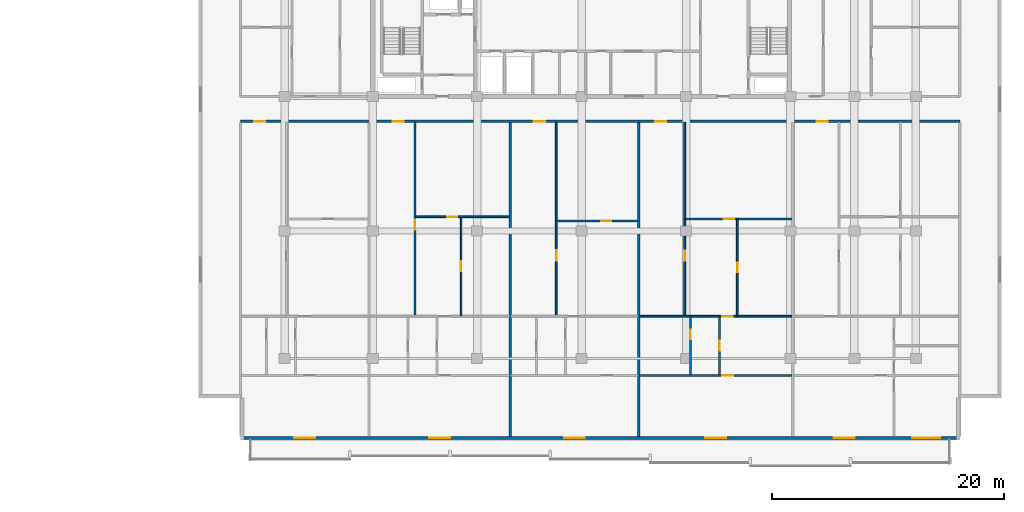
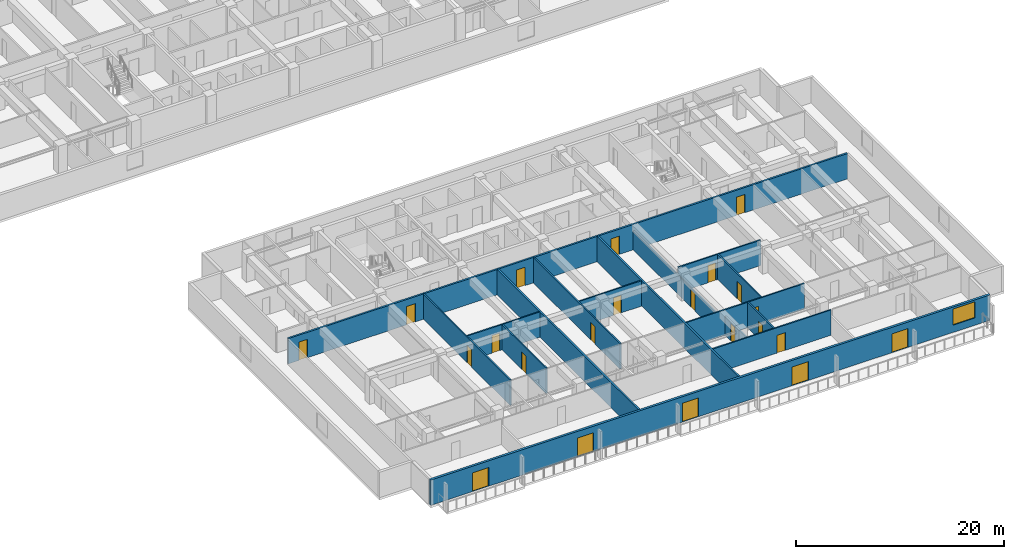
# One storey, part 5 of 23: 22 doors, 16 walls, 1 window, 23 openings.
"""IFC4 building model written with IfcOpenShell, lengths in metres."""

from ifc_helpers import new_model, si_unit, direction, frame, frame_2d, origin, place, context, subcontext, project, spatial, rectangle, extrude, material, layer, layer_set, type_object, element, fill, save


model = new_model("IFC4")

# Units and contexts
model_context = context("Model", 3, precision=1e-05, world=origin(), true_north=direction((0.0, 1.0)))
body_context = subcontext(model_context, "Body", "Model", "MODEL_VIEW")
ifc_project = project(units=[si_unit("LENGTHUNIT", "METRE"), si_unit("AREAUNIT", "SQUARE_METRE"), si_unit("VOLUMEUNIT", "CUBIC_METRE"), si_unit("PLANEANGLEUNIT", "RADIAN"), si_unit("MASSUNIT", "GRAM", prefix="KILO")], contexts=[model_context])

# Site, building, storey
site_placement = place(None, origin())
site = spatial("IfcSite", under=ifc_project, at=site_placement, CompositionType="ELEMENT")
building_placement = place(site_placement, origin())
building = spatial("IfcBuilding", under=site, at=building_placement, Name="Korimba Cascade Residences", CompositionType="ELEMENT")
storey_placement = place(building_placement, frame((0.0, 0.0, 27.25)))
storey = spatial("IfcBuildingStorey", under=building, at=storey_placement, Name="L06", CompositionType="ELEMENT", Elevation=27.25)

# Wall, openings, doors, window
ifc_material_1 = material(Name="Precast concrete C40/50", Category="concrete")
ifc_layer_1 = layer(ifc_material_1, 0.25)
ifc_layer_set_1 = layer_set([ifc_layer_1], Name="Precast concrete C40/50")
wall_type_1 = type_object("IfcWallType", Name="EW-LOG-250", PredefinedType="STANDARD", material=ifc_layer_set_1)
wall_1_placement = place(storey_placement, frame((70.699951171875, -11.050048828125, 0.0), z_axis=(0.0, 0.0, 1.0), x_axis=(1.0, 0.0, 0.0)))
wall_1 = element("IfcWall", 1, at=wall_1_placement, inside=storey, type_object=wall_type_1, Name="L06 T2 Perimeter Stone Wall E00", PredefinedType="STANDARD", context=body_context, shape_type="SweptSolid", body=[
    extrude(rectangle(XDim=62.0, YDim=0.25, at=frame_2d((31.0, 0.0))), origin(), (0.0, 0.0, 1.0), 2.969970703125),
])
opening_1_placement = place(wall_1_placement, frame((4.6357421875, 0.0, 0.0)))
opening_1 = element("IfcOpeningElement", 2, at=opening_1_placement, cuts=wall_1, Name="Opening D-LG1", PredefinedType="OPENING", context=body_context, shape_type="SweptSolid", body=[
    extrude(rectangle(XDim=1.800048828125, YDim=2.199951171875, at=frame_2d((0.89990234375, 1.10009765625))), frame((0.0, 0.135009765625, 0.0), z_axis=(0.0, -1.0, 0.0), x_axis=(1.0, 0.0, 0.0)), (0.0, 0.0, 1.0), 0.27001953125),
])
opening_2_placement = place(wall_1_placement, frame((16.2607421875, 0.0, 0.0)))
opening_2 = element("IfcOpeningElement", 3, at=opening_2_placement, cuts=wall_1, Name="Opening D-LG1", PredefinedType="OPENING", context=body_context, shape_type="SweptSolid", body=[
    extrude(rectangle(XDim=1.800048828125, YDim=2.199951171875, at=frame_2d((0.89990234375, 1.10009765625))), frame((0.0, 0.135009765625, 0.0), z_axis=(0.0, -1.0, 0.0), x_axis=(1.0, 0.0, 0.0)), (0.0, 0.0, 1.0), 0.27001953125),
])
opening_3_placement = place(wall_1_placement, frame((27.8857421875, 0.0, 0.0)))
opening_3 = element("IfcOpeningElement", 4, at=opening_3_placement, cuts=wall_1, Name="Opening D-LG1", PredefinedType="OPENING", context=body_context, shape_type="SweptSolid", body=[
    extrude(rectangle(XDim=1.800048828125, YDim=2.199951171875, at=frame_2d((0.89990234375, 1.10009765625))), frame((0.0, 0.135009765625, 0.0), z_axis=(0.0, -1.0, 0.0), x_axis=(1.0, 0.0, 0.0)), (0.0, 0.0, 1.0), 0.27001953125),
])
opening_4_placement = place(wall_1_placement, frame((40.064208984375, 0.0, 0.0)))
opening_4 = element("IfcOpeningElement", 5, at=opening_4_placement, cuts=wall_1, Name="Opening D-LG1", PredefinedType="OPENING", context=body_context, shape_type="SweptSolid", body=[
    extrude(rectangle(XDim=1.800048828125, YDim=2.199951171875, at=frame_2d((0.89990234375, 1.10009765625))), frame((0.0, 0.135009765625, 0.0), z_axis=(0.0, -1.0, 0.0), x_axis=(1.0, 0.0, 0.0)), (0.0, 0.0, 1.0), 0.27001953125),
])
opening_5_placement = place(wall_1_placement, frame((51.12353515625, 0.0, 0.0)))
opening_5 = element("IfcOpeningElement", 6, at=opening_5_placement, cuts=wall_1, Name="Opening D-LG1", PredefinedType="OPENING", context=body_context, shape_type="SweptSolid", body=[
    extrude(rectangle(XDim=1.800048828125, YDim=2.199951171875, at=frame_2d((0.89990234375, 1.10009765625))), frame((0.0, 0.135009765625, 0.0), z_axis=(0.0, -1.0, 0.0), x_axis=(1.0, 0.0, 0.0)), (0.0, 0.0, 1.0), 0.27001953125),
])
opening_6_placement = place(wall_1_placement, frame((57.89990234375, 0.0, 0.85009765625)))
opening_6 = element("IfcOpeningElement", 7, at=opening_6_placement, cuts=wall_1, Name="Opening W-01", PredefinedType="OPENING", context=body_context, shape_type="SweptSolid", body=[
    extrude(rectangle(XDim=2.39990234375, YDim=1.89990234375, at=frame_2d((1.199951171875, 0.949951171875))), frame((0.0, 0.135009765625, 0.0), z_axis=(0.0, -1.0, 0.0), x_axis=(1.0, 0.0, 0.0)), (0.0, 0.0, 1.0), 0.27001953125),
])
ifc_material_2 = material(Name="Glazed Aluminium Loggia Sliding Door", Category="aluminium")
door_type_1 = type_object("IfcDoorType", Name="DR-EXT-LOG", OperationType="NOTDEFINED", PredefinedType="DOOR", material=ifc_material_2)
door_1_placement = place(opening_1_placement, origin())
door_1 = element("IfcDoor", 8, at=door_1_placement, inside=storey, type_object=door_type_1, Name="L06 T2 Loggia Sliding Door 3", OperationType="SLIDING_TO_RIGHT", OverallHeight=2.199951171875, OverallWidth=1.800048828125, PredefinedType="DOOR", context=body_context, shape_type="SweptSolid", body=[
    extrude(rectangle(XDim=1.800048828125, YDim=2.199951171875, at=frame_2d((0.89990234375, 1.10009765625))), frame((0.0, 0.02490234375, 0.0), z_axis=(0.0, -1.0, 0.0), x_axis=(1.0, 0.0, 0.0)), (0.0, 0.0, 1.0), 0.050048828125),
])
fill(opening_1, door_1)
door_2_placement = place(opening_2_placement, origin())
door_2 = element("IfcDoor", 9, at=door_2_placement, inside=storey, type_object=door_type_1, Name="L06 T2 Loggia Sliding Door 4", OperationType="SLIDING_TO_RIGHT", OverallHeight=2.199951171875, OverallWidth=1.800048828125, PredefinedType="DOOR", context=body_context, shape_type="SweptSolid", body=[
    extrude(rectangle(XDim=1.800048828125, YDim=2.199951171875, at=frame_2d((0.89990234375, 1.10009765625))), frame((0.0, 0.02490234375, 0.0), z_axis=(0.0, -1.0, 0.0), x_axis=(1.0, 0.0, 0.0)), (0.0, 0.0, 1.0), 0.050048828125),
])
fill(opening_2, door_2)
door_3_placement = place(opening_3_placement, origin())
door_3 = element("IfcDoor", 10, at=door_3_placement, inside=storey, type_object=door_type_1, Name="L06 T2 Loggia Sliding Door 5", OperationType="SLIDING_TO_RIGHT", OverallHeight=2.199951171875, OverallWidth=1.800048828125, PredefinedType="DOOR", context=body_context, shape_type="SweptSolid", body=[
    extrude(rectangle(XDim=1.800048828125, YDim=2.199951171875, at=frame_2d((0.89990234375, 1.10009765625))), frame((0.0, 0.02490234375, 0.0), z_axis=(0.0, -1.0, 0.0), x_axis=(1.0, 0.0, 0.0)), (0.0, 0.0, 1.0), 0.050048828125),
])
fill(opening_3, door_3)
door_4_placement = place(opening_4_placement, origin())
door_4 = element("IfcDoor", 11, at=door_4_placement, inside=storey, type_object=door_type_1, Name="L06 T2 Loggia Sliding Door 6", OperationType="SLIDING_TO_RIGHT", OverallHeight=2.199951171875, OverallWidth=1.800048828125, PredefinedType="DOOR", context=body_context, shape_type="SweptSolid", body=[
    extrude(rectangle(XDim=1.800048828125, YDim=2.199951171875, at=frame_2d((0.89990234375, 1.10009765625))), frame((0.0, 0.02490234375, 0.0), z_axis=(0.0, -1.0, 0.0), x_axis=(1.0, 0.0, 0.0)), (0.0, 0.0, 1.0), 0.050048828125),
])
fill(opening_4, door_4)
door_5_placement = place(opening_5_placement, origin())
door_5 = element("IfcDoor", 12, at=door_5_placement, inside=storey, type_object=door_type_1, Name="L06 T2 Loggia Sliding Door 7", OperationType="SLIDING_TO_RIGHT", OverallHeight=2.199951171875, OverallWidth=1.800048828125, PredefinedType="DOOR", context=body_context, shape_type="SweptSolid", body=[
    extrude(rectangle(XDim=1.800048828125, YDim=2.199951171875, at=frame_2d((0.89990234375, 1.10009765625))), frame((0.0, 0.02490234375, 0.0), z_axis=(0.0, -1.0, 0.0), x_axis=(1.0, 0.0, 0.0)), (0.0, 0.0, 1.0), 0.050048828125),
])
fill(opening_5, door_5)
ifc_material_3 = material(Name="Double-Glazed Aluminium Window", Category="aluminium")
window_type = type_object("IfcWindowType", Name="WIN-RES-2400", PartitioningType="DOUBLE_PANEL_VERTICAL", PredefinedType="WINDOW", material=ifc_material_3)
window_placement = place(opening_6_placement, origin())
window = element("IfcWindow", 13, at=window_placement, inside=storey, type_object=window_type, Name="L06 T2 South Facade Window 8", OverallHeight=1.89990234375, OverallWidth=2.39990234375, PartitioningType="DOUBLE_PANEL_VERTICAL", PredefinedType="WINDOW", context=body_context, shape_type="SweptSolid", body=[
    extrude(rectangle(XDim=2.39990234375, YDim=1.89990234375, at=frame_2d((1.199951171875, 0.949951171875))), frame((0.0, 0.030029296875, 0.0), z_axis=(0.0, -1.0, 0.0), x_axis=(1.0, 0.0, 0.0)), (0.0, 0.0, 1.0), 0.06005859375),
])
fill(opening_6, window)

# Walls
ifc_layer_2 = layer(ifc_material_1, 0.199951171875)
ifc_layer_set_2 = layer_set([ifc_layer_2], Name="Precast concrete C40/50")
wall_type_2 = type_object("IfcWallType", Name="WAL-IT-200", PredefinedType="PARTITIONING", material=ifc_layer_set_2)
for number, where, z_axis, x_axis, name in (
    (14, (93.949951171875, -10.89990234375, 0.0), (0.0, 0.0, 1.0), (0.0, 1.0, 0.0), "L06 Partition Wall WAL-L06-T2-DEM-2"),
    (15, (105.021484375, -10.89990234375, 0.0), (0.0, 0.0, 1.0), (0.0, 1.0, 0.0), "L06 Partition Wall WAL-L06-T2-DEM-3"),
):
    element("IfcWall", number, at=place(storey_placement, frame(where, z_axis=z_axis, x_axis=x_axis)), inside=storey, type_object=wall_type_2, Name=name, PredefinedType="PARTITIONING", context=body_context, shape_type="SweptSolid", body=[
        extrude(rectangle(XDim=27.06982421875, YDim=0.199951171875, at=frame_2d((13.534912109375, 0.0))), origin(), (0.0, 0.0, 1.0), 2.969970703125),
    ])

# Wall, openings, doors
wall_2_placement = place(storey_placement, frame((70.699951171875, 16.25, 0.0), z_axis=(0.0, 0.0, 1.0), x_axis=(1.0, 0.0, 0.0)))
wall_2 = element("IfcWall", 16, at=wall_2_placement, inside=storey, type_object=wall_type_2, Name="L06 Partition Wall WAL-L06-T2-CORS", PredefinedType="PARTITIONING", context=body_context, shape_type="SweptSolid", body=[
    extrude(rectangle(XDim=62.0, YDim=0.199951171875, at=frame_2d((31.0, 0.0))), origin(), (0.0, 0.0, 1.0), 2.969970703125),
])
opening_7_placement = place(wall_2_placement, frame((1.18603515625, 0.0, 0.0)))
opening_7 = element("IfcOpeningElement", 17, at=opening_7_placement, cuts=wall_2, Name="Opening D-UN1", PredefinedType="OPENING", context=body_context, shape_type="SweptSolid", body=[
    extrude(rectangle(XDim=0.949951171875, YDim=2.14990234375, at=frame_2d((0.47509765625, 1.074951171875))), frame((0.0, 0.10986328125, 0.0), z_axis=(0.0, -1.0, 0.0), x_axis=(1.0, 0.0, 0.0)), (0.0, 0.0, 1.0), 0.219970703125),
])
opening_8_placement = place(wall_2_placement, frame((13.116455078125, 0.0, 0.0)))
opening_8 = element("IfcOpeningElement", 18, at=opening_8_placement, cuts=wall_2, Name="Opening D-UN1", PredefinedType="OPENING", context=body_context, shape_type="SweptSolid", body=[
    extrude(rectangle(XDim=0.949951171875, YDim=2.14990234375, at=frame_2d((0.47509765625, 1.074951171875))), frame((0.0, 0.10986328125, 0.0), z_axis=(0.0, -1.0, 0.0), x_axis=(1.0, 0.0, 0.0)), (0.0, 0.0, 1.0), 0.219970703125),
])
opening_9_placement = place(wall_2_placement, frame((25.294921875, 0.0, 0.0)))
opening_9 = element("IfcOpeningElement", 19, at=opening_9_placement, cuts=wall_2, Name="Opening D-UN1", PredefinedType="OPENING", context=body_context, shape_type="SweptSolid", body=[
    extrude(rectangle(XDim=0.949951171875, YDim=2.14990234375, at=frame_2d((0.47509765625, 1.074951171875))), frame((0.0, 0.10986328125, 0.0), z_axis=(0.0, -1.0, 0.0), x_axis=(1.0, 0.0, 0.0)), (0.0, 0.0, 1.0), 0.219970703125),
])
opening_10_placement = place(wall_2_placement, frame((35.747314453125, 0.0, 0.0)))
opening_10 = element("IfcOpeningElement", 20, at=opening_10_placement, cuts=wall_2, Name="Opening D-UN1", PredefinedType="OPENING", context=body_context, shape_type="SweptSolid", body=[
    extrude(rectangle(XDim=0.949951171875, YDim=2.14990234375, at=frame_2d((0.47509765625, 1.074951171875))), frame((0.0, 0.10986328125, 0.0), z_axis=(0.0, -1.0, 0.0), x_axis=(1.0, 0.0, 0.0)), (0.0, 0.0, 1.0), 0.219970703125),
])
opening_11_placement = place(wall_2_placement, frame((49.652099609375, 0.0, 0.0)))
opening_11 = element("IfcOpeningElement", 21, at=opening_11_placement, cuts=wall_2, Name="Opening D-UN1", PredefinedType="OPENING", context=body_context, shape_type="SweptSolid", body=[
    extrude(rectangle(XDim=0.949951171875, YDim=2.14990234375, at=frame_2d((0.47509765625, 1.074951171875))), frame((0.0, 0.10986328125, 0.0), z_axis=(0.0, -1.0, 0.0), x_axis=(1.0, 0.0, 0.0)), (0.0, 0.0, 1.0), 0.219970703125),
])
ifc_material_4 = material(Name="Fire-Rated Hardwood Apartment Entrance Door", Category="wood")
door_type_2 = type_object("IfcDoorType", Name="DR-FD60-950", OperationType="NOTDEFINED", PredefinedType="DOOR", material=ifc_material_4)
door_6_placement = place(opening_7_placement, origin())
door_6 = element("IfcDoor", 22, at=door_6_placement, inside=storey, type_object=door_type_2, Name="Unit L06-T2-U01 Entrance Door", OperationType="SINGLE_SWING_RIGHT", OverallHeight=2.14990234375, OverallWidth=0.949951171875, PredefinedType="DOOR", context=body_context, shape_type="SweptSolid", body=[
    extrude(rectangle(XDim=0.949951171875, YDim=2.14990234375, at=frame_2d((0.47509765625, 1.074951171875))), frame((0.0, 0.02490234375, 0.0), z_axis=(0.0, -1.0, 0.0), x_axis=(1.0, 0.0, 0.0)), (0.0, 0.0, 1.0), 0.050048828125),
])
fill(opening_7, door_6)
door_7_placement = place(opening_8_placement, origin())
door_7 = element("IfcDoor", 23, at=door_7_placement, inside=storey, type_object=door_type_2, Name="Unit L06-T2-U02 Entrance Door", OperationType="SINGLE_SWING_LEFT", OverallHeight=2.14990234375, OverallWidth=0.949951171875, PredefinedType="DOOR", context=body_context, shape_type="SweptSolid", body=[
    extrude(rectangle(XDim=0.949951171875, YDim=2.14990234375, at=frame_2d((0.47509765625, 1.074951171875))), frame((0.0, 0.02490234375, 0.0), z_axis=(0.0, -1.0, 0.0), x_axis=(1.0, 0.0, 0.0)), (0.0, 0.0, 1.0), 0.050048828125),
])
fill(opening_8, door_7)
door_8_placement = place(opening_9_placement, origin())
door_8 = element("IfcDoor", 24, at=door_8_placement, inside=storey, type_object=door_type_2, Name="Unit L06-T2-U03 Entrance Door", OperationType="SINGLE_SWING_RIGHT", OverallHeight=2.14990234375, OverallWidth=0.949951171875, PredefinedType="DOOR", context=body_context, shape_type="SweptSolid", body=[
    extrude(rectangle(XDim=0.949951171875, YDim=2.14990234375, at=frame_2d((0.47509765625, 1.074951171875))), frame((0.0, 0.02490234375, 0.0), z_axis=(0.0, -1.0, 0.0), x_axis=(1.0, 0.0, 0.0)), (0.0, 0.0, 1.0), 0.050048828125),
])
fill(opening_9, door_8)
door_9_placement = place(opening_10_placement, origin())
door_9 = element("IfcDoor", 25, at=door_9_placement, inside=storey, type_object=door_type_2, Name="Unit L06-T2-U04 Entrance Door", OperationType="SINGLE_SWING_LEFT", OverallHeight=2.14990234375, OverallWidth=0.949951171875, PredefinedType="DOOR", context=body_context, shape_type="SweptSolid", body=[
    extrude(rectangle(XDim=0.949951171875, YDim=2.14990234375, at=frame_2d((0.47509765625, 1.074951171875))), frame((0.0, 0.02490234375, 0.0), z_axis=(0.0, -1.0, 0.0), x_axis=(1.0, 0.0, 0.0)), (0.0, 0.0, 1.0), 0.050048828125),
])
fill(opening_10, door_9)
door_10_placement = place(opening_11_placement, origin())
door_10 = element("IfcDoor", 26, at=door_10_placement, inside=storey, type_object=door_type_2, Name="Unit L06-T2-U05 Entrance Door", OperationType="SINGLE_SWING_RIGHT", OverallHeight=2.14990234375, OverallWidth=0.949951171875, PredefinedType="DOOR", context=body_context, shape_type="SweptSolid", body=[
    extrude(rectangle(XDim=0.949951171875, YDim=2.14990234375, at=frame_2d((0.47509765625, 1.074951171875))), frame((0.0, 0.02490234375, 0.0), z_axis=(0.0, -1.0, 0.0), x_axis=(1.0, 0.0, 0.0)), (0.0, 0.0, 1.0), 0.050048828125),
])
fill(opening_11, door_10)

# Wall, opening, door
ifc_material_5 = material(Name="Insulated Acoustic Stud Partition", Category="gypsum")
ifc_layer_3 = layer(ifc_material_5, 0.14990234375)
ifc_layer_set_3 = layer_set([ifc_layer_3], Name="Insulated Acoustic Stud Partition")
wall_type_3 = type_object("IfcWallType", Name="WAL-PART-150", PredefinedType="PARTITIONING", material=ifc_layer_set_3)
wall_3_placement = place(storey_placement, frame((89.7158203125, -0.510009765625, 0.0), z_axis=(0.0, 0.0, 1.0), x_axis=(0.0, 1.0, 0.0)))
wall_3 = element("IfcWall", 27, at=wall_3_placement, inside=storey, type_object=wall_type_3, Name="L06 Partition Wall WAL-L06-T2-U02-FMV", PredefinedType="PARTITIONING", context=body_context, shape_type="SweptSolid", body=[
    extrude(rectangle(XDim=8.530029296875, YDim=0.14990234375, at=frame_2d((4.26513671875, 0.0))), origin(), (0.0, 0.0, 1.0), 2.969970703125),
])
opening_12_placement = place(wall_3_placement, frame((3.844970703125, 0.0, 0.0)))
opening_12 = element("IfcOpeningElement", 28, at=opening_12_placement, cuts=wall_3, Name="Opening D-BT1", PredefinedType="OPENING", context=body_context, shape_type="SweptSolid", body=[
    extrude(rectangle(XDim=0.840087890625, YDim=2.0400390625, at=frame_2d((0.419921875, 1.02001953125))), frame((0.0, 0.0849609375, 0.0), z_axis=(0.0, -1.0, 0.0), x_axis=(1.0, 0.0, 0.0)), (0.0, 0.0, 1.0), 0.169921875),
])
ifc_material_6 = material(Name="Moisture-Resistant Bathroom Timber Door", Category="wood")
door_type_3 = type_object("IfcDoorType", Name="DR-INT-850", OperationType="NOTDEFINED", PredefinedType="DOOR", material=ifc_material_6)
door_11_placement = place(opening_12_placement, origin())
door_11 = element("IfcDoor", 29, at=door_11_placement, inside=storey, type_object=door_type_3, Name="L06-T2-U02 Wardrobe Door", OperationType="SINGLE_SWING_LEFT", OverallHeight=2.0400390625, OverallWidth=0.840087890625, PredefinedType="DOOR", context=body_context, shape_type="SweptSolid", body=[
    extrude(rectangle(XDim=0.840087890625, YDim=2.0400390625, at=frame_2d((0.419921875, 1.02001953125))), frame((0.0, 0.02490234375, 0.0), z_axis=(0.0, -1.0, 0.0), x_axis=(1.0, 0.0, 0.0)), (0.0, 0.0, 1.0), 0.050048828125),
])
fill(opening_12, door_11)

wall_4_placement = place(storey_placement, frame((85.801513671875, 8.02001953125, 0.0), z_axis=(0.0, 0.0, 1.0), x_axis=(1.0, 0.0, 0.0)))
wall_4 = element("IfcWall", 30, at=wall_4_placement, inside=storey, type_object=wall_type_3, Name="L06 Partition Wall WAL-L06-T2-U02-FMH", PredefinedType="PARTITIONING", context=body_context, shape_type="SweptSolid", body=[
    extrude(rectangle(XDim=8.068603515625, YDim=0.14990234375, at=frame_2d((4.0341796875, 0.0))), origin(), (0.0, 0.0, 1.0), 2.969970703125),
])
opening_13_placement = place(wall_4_placement, frame((2.7158203125, 0.0, 0.0)))
opening_13 = element("IfcOpeningElement", 31, at=opening_13_placement, cuts=wall_4, Name="Opening D-IN2", PredefinedType="OPENING", context=body_context, shape_type="SweptSolid", body=[
    extrude(rectangle(XDim=0.8798828125, YDim=2.06005859375, at=frame_2d((0.43994140625, 1.030029296875))), frame((0.0, 0.0849609375, 0.0), z_axis=(0.0, -1.0, 0.0), x_axis=(1.0, 0.0, 0.0)), (0.0, 0.0, 1.0), 0.169921875),
])
ifc_material_7 = material(Name="Acoustic Timber Bedroom Door", Category="wood")
door_type_4 = type_object("IfcDoorType", Name="DR-INT-880", OperationType="NOTDEFINED", PredefinedType="DOOR", material=ifc_material_7)
door_12_placement = place(opening_13_placement, origin())
door_12 = element("IfcDoor", 32, at=door_12_placement, inside=storey, type_object=door_type_4, Name="L06-T2-U02 Library Salon Door", OperationType="SINGLE_SWING_RIGHT", OverallHeight=2.06005859375, OverallWidth=0.8798828125, PredefinedType="DOOR", context=body_context, shape_type="SweptSolid", body=[
    extrude(rectangle(XDim=0.8798828125, YDim=2.06005859375, at=frame_2d((0.43994140625, 1.030029296875))), frame((0.0, 0.02490234375, 0.0), z_axis=(0.0, -1.0, 0.0), x_axis=(1.0, 0.0, 0.0)), (0.0, 0.0, 1.0), 0.050048828125),
])
fill(opening_13, door_12)

wall_5_placement = place(storey_placement, frame((85.741455078125, -0.510009765625, 0.0), z_axis=(0.0, 0.0, 1.0), x_axis=(0.0, 1.0, 0.0)))
wall_5 = element("IfcWall", 33, at=wall_5_placement, inside=storey, type_object=wall_type_3, Name="L06 Partition Wall WAL-L06-T2-U02-FV", PredefinedType="PARTITIONING", context=body_context, shape_type="SweptSolid", body=[
    extrude(rectangle(XDim=16.699951171875, YDim=0.14990234375, at=frame_2d((8.35009765625, 0.0))), origin(), (0.0, 0.0, 1.0), 2.969970703125),
])
opening_14_placement = place(wall_5_placement, frame((7.39990234375, 0.0, 0.0)))
opening_14 = element("IfcOpeningElement", 34, at=opening_14_placement, cuts=wall_5, Name="Opening D-IN2", PredefinedType="OPENING", context=body_context, shape_type="SweptSolid", body=[
    extrude(rectangle(XDim=0.8798828125, YDim=2.06005859375, at=frame_2d((0.43994140625, 1.030029296875))), frame((0.0, 0.0849609375, 0.0), z_axis=(0.0, -1.0, 0.0), x_axis=(1.0, 0.0, 0.0)), (0.0, 0.0, 1.0), 0.169921875),
])
door_13_placement = place(opening_14_placement, origin())
door_13 = element("IfcDoor", 35, at=door_13_placement, inside=storey, type_object=door_type_4, Name="L06-T2-U02 Media Lounge Door", OperationType="SINGLE_SWING_LEFT", OverallHeight=2.06005859375, OverallWidth=0.8798828125, PredefinedType="DOOR", context=body_context, shape_type="SweptSolid", body=[
    extrude(rectangle(XDim=0.8798828125, YDim=2.06005859375, at=frame_2d((0.43994140625, 1.030029296875))), frame((0.0, 0.02490234375, 0.0), z_axis=(0.0, -1.0, 0.0), x_axis=(1.0, 0.0, 0.0)), (0.0, 0.0, 1.0), 0.050048828125),
])
fill(opening_14, door_13)

wall_6_placement = place(storey_placement, frame((97.97998046875, 7.659912109375, 0.0), z_axis=(0.0, 0.0, 1.0), x_axis=(1.0, 0.0, 0.0)))
wall_6 = element("IfcWall", 36, at=wall_6_placement, inside=storey, type_object=wall_type_3, Name="L06 Partition Wall WAL-L06-T2-U03-FMH", PredefinedType="PARTITIONING", context=body_context, shape_type="SweptSolid", body=[
    extrude(rectangle(XDim=6.96142578125, YDim=0.14990234375, at=frame_2d((3.480712890625, 0.0))), origin(), (0.0, 0.0, 1.0), 2.969970703125),
])
opening_15_placement = place(wall_6_placement, frame((3.794189453125, 0.0, 0.0)))
opening_15 = element("IfcOpeningElement", 37, at=opening_15_placement, cuts=wall_6, Name="Opening D-IN2", PredefinedType="OPENING", context=body_context, shape_type="SweptSolid", body=[
    extrude(rectangle(XDim=0.8798828125, YDim=2.06005859375, at=frame_2d((0.43994140625, 1.030029296875))), frame((0.0, 0.0849609375, 0.0), z_axis=(0.0, -1.0, 0.0), x_axis=(1.0, 0.0, 0.0)), (0.0, 0.0, 1.0), 0.169921875),
])
door_14_placement = place(opening_15_placement, origin())
door_14 = element("IfcDoor", 38, at=door_14_placement, inside=storey, type_object=door_type_4, Name="L06-T2-U03 Library Salon Door", OperationType="SINGLE_SWING_RIGHT", OverallHeight=2.06005859375, OverallWidth=0.8798828125, PredefinedType="DOOR", context=body_context, shape_type="SweptSolid", body=[
    extrude(rectangle(XDim=0.8798828125, YDim=2.06005859375, at=frame_2d((0.43994140625, 1.030029296875))), frame((0.0, 0.02490234375, 0.0), z_axis=(0.0, -1.0, 0.0), x_axis=(1.0, 0.0, 0.0)), (0.0, 0.0, 1.0), 0.050048828125),
])
fill(opening_15, door_14)

wall_7_placement = place(storey_placement, frame((97.919921875, -0.510009765625, 0.0), z_axis=(0.0, 0.0, 1.0), x_axis=(0.0, 1.0, 0.0)))
wall_7 = element("IfcWall", 39, at=wall_7_placement, inside=storey, type_object=wall_type_3, Name="L06 Partition Wall WAL-L06-T2-U03-FV", PredefinedType="PARTITIONING", context=body_context, shape_type="SweptSolid", body=[
    extrude(rectangle(XDim=16.699951171875, YDim=0.14990234375, at=frame_2d((8.35009765625, 0.0))), origin(), (0.0, 0.0, 1.0), 2.969970703125),
])
opening_16_placement = place(wall_7_placement, frame((4.765380859375, 0.0, 0.0)))
opening_16 = element("IfcOpeningElement", 40, at=opening_16_placement, cuts=wall_7, Name="Opening D-IN2", PredefinedType="OPENING", context=body_context, shape_type="SweptSolid", body=[
    extrude(rectangle(XDim=0.8798828125, YDim=2.06005859375, at=frame_2d((0.43994140625, 1.030029296875))), frame((0.0, 0.0849609375, 0.0), z_axis=(0.0, -1.0, 0.0), x_axis=(1.0, 0.0, 0.0)), (0.0, 0.0, 1.0), 0.169921875),
])
door_15_placement = place(opening_16_placement, origin())
door_15 = element("IfcDoor", 41, at=door_15_placement, inside=storey, type_object=door_type_4, Name="L06-T2-U03 Media Lounge Door", OperationType="SINGLE_SWING_LEFT", OverallHeight=2.06005859375, OverallWidth=0.8798828125, PredefinedType="DOOR", context=body_context, shape_type="SweptSolid", body=[
    extrude(rectangle(XDim=0.8798828125, YDim=2.06005859375, at=frame_2d((0.43994140625, 1.030029296875))), frame((0.0, 0.02490234375, 0.0), z_axis=(0.0, -1.0, 0.0), x_axis=(1.0, 0.0, 0.0)), (0.0, 0.0, 1.0), 0.050048828125),
])
fill(opening_16, door_15)

wall_8_placement = place(storey_placement, frame((113.519287109375, -0.510009765625, 0.0), z_axis=(0.0, 0.0, 1.0), x_axis=(0.0, 1.0, 0.0)))
wall_8 = element("IfcWall", 42, at=wall_8_placement, inside=storey, type_object=wall_type_3, Name="L06 Partition Wall WAL-L06-T2-U04-FMV", PredefinedType="PARTITIONING", context=body_context, shape_type="SweptSolid", body=[
    extrude(rectangle(XDim=8.35009765625, YDim=0.14990234375, at=frame_2d((4.175048828125, 0.0))), origin(), (0.0, 0.0, 1.0), 2.969970703125),
])
opening_17_placement = place(wall_8_placement, frame((3.7548828125, 0.0, 0.0)))
opening_17 = element("IfcOpeningElement", 43, at=opening_17_placement, cuts=wall_8, Name="Opening D-BT1", PredefinedType="OPENING", context=body_context, shape_type="SweptSolid", body=[
    extrude(rectangle(XDim=0.840087890625, YDim=2.0400390625, at=frame_2d((0.419921875, 1.02001953125))), frame((0.0, 0.0849609375, 0.0), z_axis=(0.0, -1.0, 0.0), x_axis=(1.0, 0.0, 0.0)), (0.0, 0.0, 1.0), 0.169921875),
])
door_16_placement = place(opening_17_placement, origin())
door_16 = element("IfcDoor", 44, at=door_16_placement, inside=storey, type_object=door_type_3, Name="L06-T2-U04 Wardrobe Door", OperationType="SINGLE_SWING_RIGHT", OverallHeight=2.0400390625, OverallWidth=0.840087890625, PredefinedType="DOOR", context=body_context, shape_type="SweptSolid", body=[
    extrude(rectangle(XDim=0.840087890625, YDim=2.0400390625, at=frame_2d((0.419921875, 1.02001953125))), frame((0.0, 0.02490234375, 0.0), z_axis=(0.0, -1.0, 0.0), x_axis=(1.0, 0.0, 0.0)), (0.0, 0.0, 1.0), 0.050048828125),
])
fill(opening_17, door_16)

wall_9_placement = place(storey_placement, frame((109.051513671875, 7.840087890625, 0.0), z_axis=(0.0, 0.0, 1.0), x_axis=(1.0, 0.0, 0.0)))
wall_9 = element("IfcWall", 45, at=wall_9_placement, inside=storey, type_object=wall_type_3, Name="L06 Partition Wall WAL-L06-T2-U04-FMH", PredefinedType="PARTITIONING", context=body_context, shape_type="SweptSolid", body=[
    extrude(rectangle(XDim=9.175537109375, YDim=0.14990234375, at=frame_2d((4.587890625, 0.0))), origin(), (0.0, 0.0, 1.0), 2.969970703125),
])
opening_18_placement = place(wall_9_placement, frame((3.307373046875, 0.0, 0.0)))
opening_18 = element("IfcOpeningElement", 46, at=opening_18_placement, cuts=wall_9, Name="Opening D-IN2", PredefinedType="OPENING", context=body_context, shape_type="SweptSolid", body=[
    extrude(rectangle(XDim=0.8798828125, YDim=2.06005859375, at=frame_2d((0.43994140625, 1.030029296875))), frame((0.0, 0.0849609375, 0.0), z_axis=(0.0, -1.0, 0.0), x_axis=(1.0, 0.0, 0.0)), (0.0, 0.0, 1.0), 0.169921875),
])
door_17_placement = place(opening_18_placement, origin())
door_17 = element("IfcDoor", 47, at=door_17_placement, inside=storey, type_object=door_type_4, Name="L06-T2-U04 Library Salon Door", OperationType="SINGLE_SWING_LEFT", OverallHeight=2.06005859375, OverallWidth=0.8798828125, PredefinedType="DOOR", context=body_context, shape_type="SweptSolid", body=[
    extrude(rectangle(XDim=0.8798828125, YDim=2.06005859375, at=frame_2d((0.43994140625, 1.030029296875))), frame((0.0, 0.02490234375, 0.0), z_axis=(0.0, -1.0, 0.0), x_axis=(1.0, 0.0, 0.0)), (0.0, 0.0, 1.0), 0.050048828125),
])
fill(opening_18, door_17)

wall_10_placement = place(storey_placement, frame((108.991455078125, -0.510009765625, 0.0), z_axis=(0.0, 0.0, 1.0), x_axis=(0.0, 1.0, 0.0)))
wall_10 = element("IfcWall", 48, at=wall_10_placement, inside=storey, type_object=wall_type_3, Name="L06 Partition Wall WAL-L06-T2-U04-FV", PredefinedType="PARTITIONING", context=body_context, shape_type="SweptSolid", body=[
    extrude(rectangle(XDim=16.699951171875, YDim=0.14990234375, at=frame_2d((8.35009765625, 0.0))), origin(), (0.0, 0.0, 1.0), 2.219970703125),
])
opening_19_placement = place(wall_10_placement, frame((4.746826171875, 0.0, 0.0)))
opening_19 = element("IfcOpeningElement", 49, at=opening_19_placement, cuts=wall_10, Name="Opening D-IN2", PredefinedType="OPENING", context=body_context, shape_type="SweptSolid", body=[
    extrude(rectangle(XDim=0.8798828125, YDim=2.06005859375, at=frame_2d((0.43994140625, 1.030029296875))), frame((0.0, 0.0849609375, 0.0), z_axis=(0.0, -1.0, 0.0), x_axis=(1.0, 0.0, 0.0)), (0.0, 0.0, 1.0), 0.169921875),
])
door_18_placement = place(opening_19_placement, origin())
door_18 = element("IfcDoor", 50, at=door_18_placement, inside=storey, type_object=door_type_4, Name="L06-T2-U04 Media Lounge Door", OperationType="SINGLE_SWING_RIGHT", OverallHeight=2.06005859375, OverallWidth=0.8798828125, PredefinedType="DOOR", context=body_context, shape_type="SweptSolid", body=[
    extrude(rectangle(XDim=0.8798828125, YDim=2.06005859375, at=frame_2d((0.43994140625, 1.030029296875))), frame((0.0, 0.02490234375, 0.0), z_axis=(0.0, -1.0, 0.0), x_axis=(1.0, 0.0, 0.0)), (0.0, 0.0, 1.0), 0.050048828125),
])
fill(opening_19, door_18)

wall_11_placement = place(storey_placement, frame((109.487060546875, -5.590087890625, 0.0), z_axis=(0.0, 0.0, 1.0), x_axis=(0.0, 1.0, 0.0)))
wall_11 = element("IfcWall", 51, at=wall_11_placement, inside=storey, type_object=wall_type_3, Name="L06 Partition Wall WAL-L06-T2-U04-CLS", PredefinedType="PARTITIONING", context=body_context, shape_type="SweptSolid", body=[
    extrude(rectangle(XDim=5.0, YDim=0.14990234375, at=frame_2d((2.5, 0.0))), origin(), (0.0, 0.0, 1.0), 2.219970703125),
])
opening_20_placement = place(wall_11_placement, frame((3.048828125, 0.0, 0.0)))
opening_20 = element("IfcOpeningElement", 52, at=opening_20_placement, cuts=wall_11, Name="Opening D-BT1", PredefinedType="OPENING", context=body_context, shape_type="SweptSolid", body=[
    extrude(rectangle(XDim=0.840087890625, YDim=2.0400390625, at=frame_2d((0.419921875, 1.02001953125))), frame((0.0, 0.0849609375, 0.0), z_axis=(0.0, -1.0, 0.0), x_axis=(1.0, 0.0, 0.0)), (0.0, 0.0, 1.0), 0.169921875),
])
door_19_placement = place(opening_20_placement, origin())
door_19 = element("IfcDoor", 53, at=door_19_placement, inside=storey, type_object=door_type_3, Name="L06-T2-U04 Closet Door", OperationType="SINGLE_SWING_LEFT", OverallHeight=2.0400390625, OverallWidth=0.840087890625, PredefinedType="DOOR", context=body_context, shape_type="SweptSolid", body=[
    extrude(rectangle(XDim=0.840087890625, YDim=2.0400390625, at=frame_2d((0.419921875, 1.02001953125))), frame((0.0, 0.02490234375, 0.0), z_axis=(0.0, -1.0, 0.0), x_axis=(1.0, 0.0, 0.0)), (0.0, 0.0, 1.0), 0.050048828125),
])
fill(opening_20, door_19)

wall_12_placement = place(storey_placement, frame((111.987060546875, -5.590087890625, 0.0), z_axis=(0.0, 0.0, 1.0), x_axis=(0.0, 1.0, 0.0)))
wall_12 = element("IfcWall", 54, at=wall_12_placement, inside=storey, type_object=wall_type_3, Name="L06 Partition Wall WAL-L06-T2-U04-BM", PredefinedType="PARTITIONING", context=body_context, shape_type="SweptSolid", body=[
    extrude(rectangle(XDim=5.0, YDim=0.14990234375, at=frame_2d((2.5, 0.0))), origin(), (0.0, 0.0, 1.0), 2.969970703125),
])
opening_21_placement = place(wall_12_placement, frame((2.080078125, 0.0, 0.0)))
opening_21 = element("IfcOpeningElement", 55, at=opening_21_placement, cuts=wall_12, Name="Opening D-BT1", PredefinedType="OPENING", context=body_context, shape_type="SweptSolid", body=[
    extrude(rectangle(XDim=0.840087890625, YDim=2.0400390625, at=frame_2d((0.419921875, 1.02001953125))), frame((0.0, 0.0849609375, 0.0), z_axis=(0.0, -1.0, 0.0), x_axis=(1.0, 0.0, 0.0)), (0.0, 0.0, 1.0), 0.169921875),
])
door_20_placement = place(opening_21_placement, origin())
door_20 = element("IfcDoor", 56, at=door_20_placement, inside=storey, type_object=door_type_3, Name="L06-T2-U04 Bathroom Door", OperationType="SINGLE_SWING_RIGHT", OverallHeight=2.0400390625, OverallWidth=0.840087890625, PredefinedType="DOOR", context=body_context, shape_type="SweptSolid", body=[
    extrude(rectangle(XDim=0.840087890625, YDim=2.0400390625, at=frame_2d((0.419921875, 1.02001953125))), frame((0.0, 0.02490234375, 0.0), z_axis=(0.0, -1.0, 0.0), x_axis=(1.0, 0.0, 0.0)), (0.0, 0.0, 1.0), 0.050048828125),
])
fill(opening_21, door_20)

wall_13_placement = place(storey_placement, frame((105.101318359375, -0.550048828125, 0.0), z_axis=(0.0, 0.0, 1.0), x_axis=(1.0, 0.0, 0.0)))
wall_13 = element("IfcWall", 57, at=wall_13_placement, inside=storey, type_object=wall_type_3, Name="L06 Partition Wall WAL-L06-T2-U04-MW", PredefinedType="PARTITIONING", context=body_context, shape_type="SweptSolid", body=[
    extrude(rectangle(XDim=13.125732421875, YDim=0.14990234375, at=frame_2d((6.56298828125, 0.0))), origin(), (0.0, 0.0, 1.0), 2.969970703125),
])
opening_22_placement = place(wall_13_placement, frame((7.105712890625, 0.0, 0.0)))
opening_22 = element("IfcOpeningElement", 58, at=opening_22_placement, cuts=wall_13, Name="Opening D-IN1", PredefinedType="OPENING", context=body_context, shape_type="SweptSolid", body=[
    extrude(rectangle(XDim=0.919921875, YDim=2.080078125, at=frame_2d((0.4599609375, 1.0400390625))), frame((0.0, 0.0849609375, 0.0), z_axis=(0.0, -1.0, 0.0), x_axis=(1.0, 0.0, 0.0)), (0.0, 0.0, 1.0), 0.169921875),
])
ifc_material_8 = material(Name="Acoustic Timber Living Door", Category="wood")
door_type_5 = type_object("IfcDoorType", Name="DR-INT-920", OperationType="NOTDEFINED", PredefinedType="DOOR", material=ifc_material_8)
door_21_placement = place(opening_22_placement, origin())
door_21 = element("IfcDoor", 59, at=door_21_placement, inside=storey, type_object=door_type_5, Name="L06-T2-U04 Studio Kitchen Door", OperationType="SINGLE_SWING_LEFT", OverallHeight=2.080078125, OverallWidth=0.919921875, PredefinedType="DOOR", context=body_context, shape_type="SweptSolid", body=[
    extrude(rectangle(XDim=0.919921875, YDim=2.080078125, at=frame_2d((0.4599609375, 1.0400390625))), frame((0.0, 0.02490234375, 0.0), z_axis=(0.0, -1.0, 0.0), x_axis=(1.0, 0.0, 0.0)), (0.0, 0.0, 1.0), 0.050048828125),
])
fill(opening_22, door_21)

wall_14_placement = place(storey_placement, frame((105.101318359375, -5.64990234375, 0.0), z_axis=(0.0, 0.0, 1.0), x_axis=(1.0, 0.0, 0.0)))
wall_14 = element("IfcWall", 60, at=wall_14_placement, inside=storey, type_object=wall_type_3, Name="L06 Partition Wall WAL-L06-T2-U04-HZ", PredefinedType="PARTITIONING", context=body_context, shape_type="SweptSolid", body=[
    extrude(rectangle(XDim=13.125732421875, YDim=0.14990234375, at=frame_2d((6.56298828125, 0.0))), origin(), (0.0, 0.0, 1.0), 2.969970703125),
])
opening_23_placement = place(wall_14_placement, frame((7.1357421875, 0.0, 0.0)))
opening_23 = element("IfcOpeningElement", 61, at=opening_23_placement, cuts=wall_14, Name="Opening D-IN1", PredefinedType="OPENING", context=body_context, shape_type="SweptSolid", body=[
    extrude(rectangle(XDim=0.919921875, YDim=2.080078125, at=frame_2d((0.4599609375, 1.0400390625))), frame((0.0, 0.0849609375, 0.0), z_axis=(0.0, -1.0, 0.0), x_axis=(1.0, 0.0, 0.0)), (0.0, 0.0, 1.0), 0.169921875),
])
door_22_placement = place(opening_23_placement, origin())
door_22 = element("IfcDoor", 62, at=door_22_placement, inside=storey, type_object=door_type_5, Name="L06-T2-U04 Studio Door", OperationType="SINGLE_SWING_RIGHT", OverallHeight=2.080078125, OverallWidth=0.919921875, PredefinedType="DOOR", context=body_context, shape_type="SweptSolid", body=[
    extrude(rectangle(XDim=0.919921875, YDim=2.080078125, at=frame_2d((0.4599609375, 1.0400390625))), frame((0.0, 0.02490234375, 0.0), z_axis=(0.0, -1.0, 0.0), x_axis=(1.0, 0.0, 0.0)), (0.0, 0.0, 1.0), 0.050048828125),
])
fill(opening_23, door_22)

save(model, "model.ifc")
